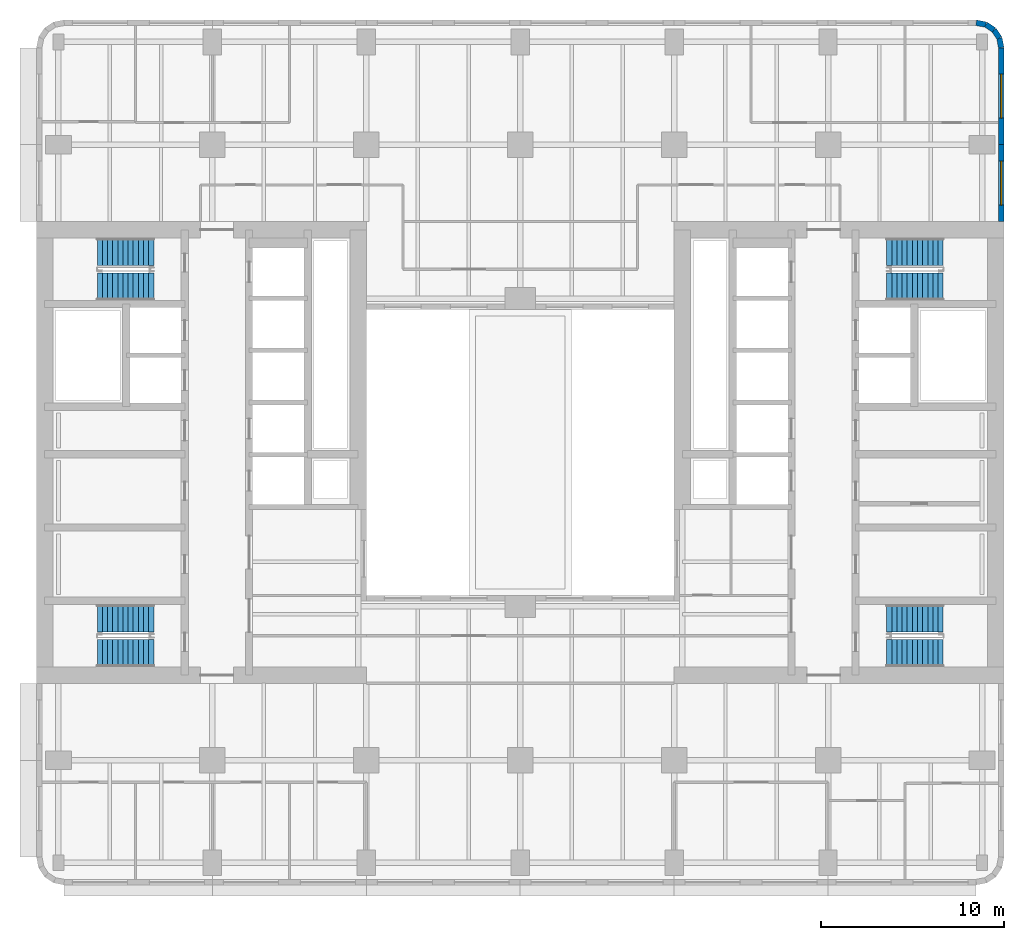
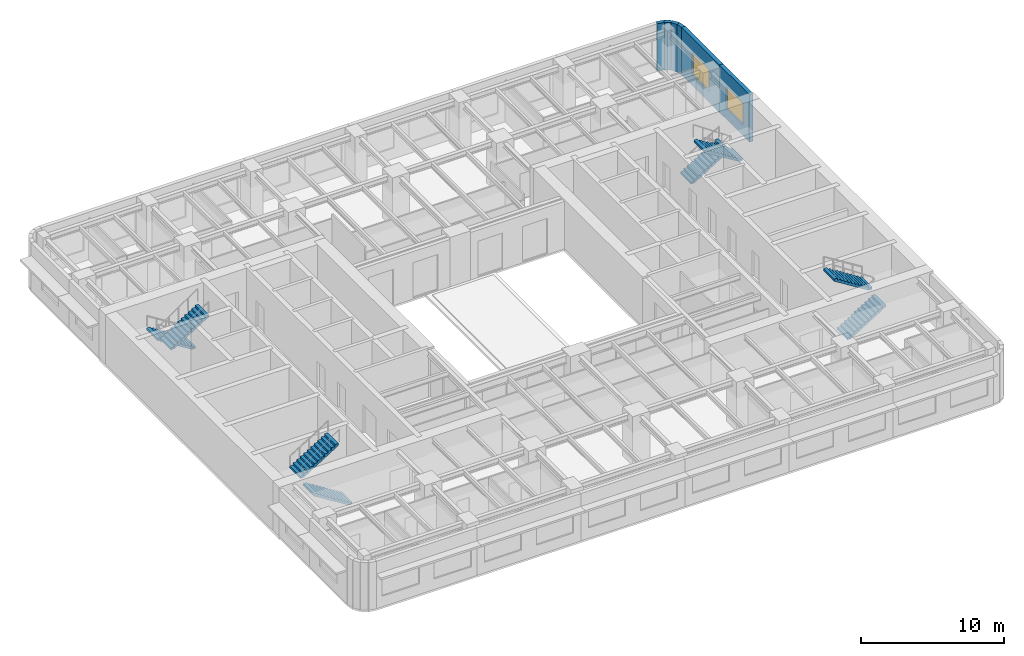
# One storey, part 8 of 14: 8 stair flights, 6 walls, 2 windows, 2 openings, 4 elements without a shape of their own.
"""IFC4 building model written with IfcOpenShell, lengths in metres."""

import ifcopenshell
import ifcopenshell.guid

model = None  # the IFC model being written
_history = None  # IfcOwnerHistory: only IFC2X3 demands one
_inside = {}  # id of a spatial element -> (the spatial element, [elements in it])
_under = {}  # id of a project, library or spatial element -> (it, [spatial elements below it])
_declared = {}  # id of a project -> (the project, [libraries it declares])
_typed = {}  # id of a type object -> (the type object, [elements of that type])
_made_of = {}  # id of a material, layer set ... -> (it, [elements and type objects made of it])


def new_model(schema):
    """Start an empty IFC model of exactly this schema.

    Asked for "IFC4X3", IfcOpenShell would pick the latest addendum, in which some entities
    have other attributes; the version numbers below select the first issue.
    IFC2X3 requires an IfcOwnerHistory on every rooted entity: one is made here for all.
    """
    global model, _history
    if schema == "IFC4X3":
        model = ifcopenshell.file(schema_version=(4, 3, 0, 0))
    else:
        model = ifcopenshell.file(schema=schema)
    _inside.clear()
    _under.clear()
    _declared.clear()
    _typed.clear()
    _made_of.clear()
    _history = None
    if model.schema == "IFC2X3":
        org = make("IfcOrganization", Name="unknown")
        user = make(
            "IfcPersonAndOrganization",
            ThePerson=make("IfcPerson", FamilyName="unknown"),
            TheOrganization=org,
        )
        app = make(
            "IfcApplication",
            ApplicationDeveloper=org,
            Version="unknown",
            ApplicationFullName="unknown",
            ApplicationIdentifier="unknown",
        )
        _history = make(
            "IfcOwnerHistory",
            OwningUser=user,
            OwningApplication=app,
            ChangeAction="ADDED",
            CreationDate=0,
        )
    return model


def make(cls, **values):
    """One entity of the class cls with the attributes given. An attribute that is None is left unset."""
    return model.create_entity(
        cls, **{name: value for name, value in values.items() if value is not None}
    )


def rooted(cls, **values):
    """An entity with a GlobalId (a new one), such as an element, a storey or a relation."""
    return make(cls, GlobalId=ifcopenshell.guid.new(), OwnerHistory=_history, **values)


def si_unit(unit_type, name, prefix=None):
    """IfcSIUnit, for example si_unit("LENGTHUNIT", "METRE", prefix="MILLI")."""
    return make("IfcSIUnit", UnitType=unit_type, Prefix=prefix, Name=name)


def assignment(units):
    """IfcUnitAssignment: the units of a project."""
    return None if units is None else make("IfcUnitAssignment", Units=units)


def point(xyz):
    """IfcCartesianPoint."""
    return None if xyz is None else make("IfcCartesianPoint", Coordinates=xyz)


def direction(xyz):
    """IfcDirection."""
    return None if xyz is None else make("IfcDirection", DirectionRatios=xyz)


def frame(location, z_axis=None, x_axis=None):
    """IfcAxis2Placement3D, a coordinate frame: its origin and axes. An axis left out is left unset."""
    return make(
        "IfcAxis2Placement3D",
        Location=point(location),
        Axis=direction(z_axis),
        RefDirection=direction(x_axis),
    )


def frame_2d(location, x_axis=None):
    """IfcAxis2Placement2D, a coordinate frame in the plane: its origin and x axis."""
    return make(
        "IfcAxis2Placement2D", Location=point(location), RefDirection=direction(x_axis)
    )


def origin():
    """The frame at (0, 0, 0) with its axes left unset."""
    return frame((0.0, 0.0, 0.0))


def place(relative_to, where):
    """IfcLocalPlacement: puts the frame where relative to a parent placement (None: the world)."""
    return make(
        "IfcLocalPlacement", PlacementRelTo=relative_to, RelativePlacement=where
    )


def context(
    kind, dimensions, precision=None, world=None, true_north=None, identifier=None
):
    """IfcGeometricRepresentationContext, for example the 3D "Model" context."""
    return make(
        "IfcGeometricRepresentationContext",
        ContextIdentifier=identifier,
        ContextType=kind,
        CoordinateSpaceDimension=dimensions,
        Precision=precision,
        WorldCoordinateSystem=world,
        TrueNorth=true_north,
    )


def subcontext(parent, identifier, kind, view, scale=None):
    """IfcGeometricRepresentationSubContext, for example "Body" below "Model"."""
    return make(
        "IfcGeometricRepresentationSubContext",
        ContextIdentifier=identifier,
        ContextType=kind,
        ParentContext=parent,
        TargetScale=scale,
        TargetView=view,
    )


def project(units=None, contexts=None):
    """IfcProject with its units and contexts."""
    return rooted(
        "IfcProject",
        Name="project",
        RepresentationContexts=contexts,
        UnitsInContext=assignment(units),
    )


def spatial(cls, under=None, at=None, **own):
    """A site, building, storey or space (cls), placed at a placement, below another one or the project."""
    s = rooted(cls, ObjectPlacement=at, **own)
    if under is not None:
        _under.setdefault(under.id(), (under, []))[1].append(s)
    return s


def polyline(points):
    """IfcPolyline through the points."""
    return make("IfcPolyline", Points=[point(p) for p in points])


def profile(cls, at=None, kind="AREA", **sizes):
    """A parametric profile (cls). Its sizes go by their IFC names, for example OverallWidth=200.0."""
    return make(cls, ProfileType=kind, Position=at, **sizes)


def rectangle(**sizes):
    """IfcRectangleProfileDef."""
    return profile("IfcRectangleProfileDef", **sizes)


def outline(outer, holes=None, kind="AREA"):
    """IfcArbitraryClosedProfileDef: a profile drawn as a closed curve; with holes, ...WithVoids."""
    if holes is None:
        return make("IfcArbitraryClosedProfileDef", ProfileType=kind, OuterCurve=outer)
    return make(
        "IfcArbitraryProfileDefWithVoids",
        ProfileType=kind,
        OuterCurve=outer,
        InnerCurves=holes,
    )


def extrude(swept, where, along, depth):
    """IfcExtrudedAreaSolid: the profile swept, set in the frame where, extruded along a direction by depth."""
    return make(
        "IfcExtrudedAreaSolid",
        SweptArea=swept,
        Position=where,
        ExtrudedDirection=direction(along),
        Depth=depth,
    )


def shape(context_of_items, identifier, shape_type, items):
    """IfcShapeRepresentation: the items that make up one representation, for example the "Body"."""
    return make(
        "IfcShapeRepresentation",
        ContextOfItems=context_of_items,
        RepresentationIdentifier=identifier,
        RepresentationType=shape_type,
        Items=items,
    )


def material(Name=None, Category=None):
    """IfcMaterial."""
    return make("IfcMaterial", Name=Name, Category=Category)


def layer(
    of_material, thickness, ventilated=None, Name=None, Category=None, Priority=None
):
    """IfcMaterialLayer: one layer of a wall or slab, of a material (None: an air gap)."""
    return make(
        "IfcMaterialLayer",
        Material=of_material,
        LayerThickness=thickness,
        IsVentilated=ventilated,
        Name=Name,
        Category=Category,
        Priority=Priority,
    )


def layer_set(layers, Name=None):
    """IfcMaterialLayerSet."""
    return make("IfcMaterialLayerSet", MaterialLayers=layers, LayerSetName=Name)


def made_of(thing, what):
    """Note that an element or type object is made of a material, layer set ...; save() writes the relation."""
    if what is not None:
        _made_of.setdefault(what.id(), (what, []))[1].append(thing)
    return thing


def type_object(cls, material=None, **own):
    """A type object (cls), such as IfcWallType, which elements share."""
    return made_of(rooted(cls, **own), material)


def element(
    cls,
    number,
    at=None,
    inside=None,
    cuts=None,
    type_object=None,
    material=None,
    context=None,
    identifier="Body",
    shape_type=None,
    held_by="IfcProductDefinitionShape",
    body=None,
    shapes=None,
    **own,
):
    """One element of the class cls, such as IfcWall. Its Tag is "e" and its number.

    at: its placement. inside: the storey or other place that contains it. cuts: it is an
    opening in that element (IfcRelVoidsElement). A single representation is given by context,
    identifier, shape_type and body (its items); several are given by shapes. held_by: the class
    of the entity that holds the representations. save() writes the other relations.
    """
    e = rooted(cls, Tag="e%d" % number, ObjectPlacement=at, **own)
    if body is not None:
        shapes = [shape(context, identifier, shape_type, body)]
    if shapes is not None:
        e.Representation = make(held_by, Representations=shapes)
    if inside is not None:
        _inside.setdefault(inside.id(), (inside, []))[1].append(e)
    if cuts is not None:
        rooted(
            "IfcRelVoidsElement", RelatingBuildingElement=cuts, RelatedOpeningElement=e
        )
    if type_object is not None:
        _typed.setdefault(type_object.id(), (type_object, []))[1].append(e)
    return made_of(e, material)


def fill(opening, filler):
    """IfcRelFillsElement: the door or window that sits in an opening."""
    return rooted(
        "IfcRelFillsElement",
        RelatingOpeningElement=opening,
        RelatedBuildingElement=filler,
    )


def aggregate(whole, parts):
    """IfcRelAggregates: a whole, such as a stair, and the parts it consists of."""
    return rooted("IfcRelAggregates", RelatingObject=whole, RelatedObjects=parts)


def save(model, path):
    """Write the relations noted so far, then the file.

    IfcRelAggregates (storeys below a building ...), IfcRelContainedInSpatialStructure (elements
    in a storey), IfcRelDefinesByType, IfcRelAssociatesMaterial and IfcRelDeclares: one each for
    every whole, place, type object, material and project.
    """
    for whole, parts in _under.values():
        aggregate(whole, parts)
    for where, things in _inside.values():
        rooted(
            "IfcRelContainedInSpatialStructure",
            RelatedElements=things,
            RelatingStructure=where,
        )
    for kind, things in _typed.values():
        rooted("IfcRelDefinesByType", RelatedObjects=things, RelatingType=kind)
    for what, things in _made_of.values():
        rooted("IfcRelAssociatesMaterial", RelatedObjects=things, RelatingMaterial=what)
    for by, libraries in _declared.values():
        rooted("IfcRelDeclares", RelatingContext=by, RelatedDefinitions=libraries)
    model.write(path)


model = new_model("IFC4")

# Units and contexts
model_context = context("Model", 3, precision=1e-05, world=origin(), true_north=direction((0.0, 1.0)))
body_context = subcontext(model_context, "Body", "Model", "MODEL_VIEW")
ifc_project = project(units=[si_unit("LENGTHUNIT", "METRE"), si_unit("AREAUNIT", "SQUARE_METRE"), si_unit("VOLUMEUNIT", "CUBIC_METRE"), si_unit("PLANEANGLEUNIT", "RADIAN"), si_unit("MASSUNIT", "GRAM", prefix="KILO")], contexts=[model_context])

# Site, building, storey
site_placement = place(None, origin())
site = spatial("IfcSite", under=ifc_project, at=site_placement, CompositionType="ELEMENT")
building_placement = place(site_placement, origin())
building = spatial("IfcBuilding", under=site, at=building_placement, Name="Claustro Exchange Tower", CompositionType="ELEMENT")
storey_placement = place(building_placement, frame((0.0, 0.0, 100.800048828125)))
storey = spatial("IfcBuildingStorey", under=building, at=storey_placement, Name="L22", CompositionType="ELEMENT", Elevation=100.800048828125)

# Walls
ifc_material_1 = material(Name="Concrete HA-40 (C40/50), precast, white cement, acid-etched", Category="concrete")
ifc_layer = layer(ifc_material_1, 0.300048828125)
ifc_layer_set = layer_set([ifc_layer], Name="Concrete HA-40 (C40/50), precast, white cement, acid-etched")
wall_type = type_object("IfcWallType", Name="PC1 300 precast concrete pier panel", PredefinedType="SOLIDWALL", material=ifc_layer_set)
wall_1_placement = place(storey_placement, frame((50.085205078125, 48.64990234375, 0.0), z_axis=(0.0, 0.0, 1.0), x_axis=(0.980788534345, -0.195073962632, 0.0)))
element("IfcWall", 1, at=wall_1_placement, inside=storey, type_object=wall_type, Name="Precast pier panel PC1 L22", PredefinedType="SOLIDWALL", context=body_context, shape_type="SweptSolid", body=[
    extrude(rectangle(XDim=0.540771484375, YDim=0.300048828125, at=frame_2d((0.2705078125, 0.0))), origin(), (0.0, 0.0, 1.0), 4.050048828125),
])
wall_2_placement = place(storey_placement, frame((50.615478515625, 48.54443359375, 0.0), z_axis=(0.0, 0.0, 1.0), x_axis=(0.831692711774, -0.555236195849, 0.0)))
element("IfcWall", 2, at=wall_2_placement, inside=storey, type_object=wall_type, Name="Precast pier panel PC1 L22", PredefinedType="SOLIDWALL", context=body_context, shape_type="SweptSolid", body=[
    extrude(rectangle(XDim=0.525390625, YDim=0.300048828125, at=frame_2d((0.2626953125, 0.0))), origin(), (0.0, 0.0, 1.0), 4.050048828125),
])
wall_3_placement = place(storey_placement, frame((51.052490234375, 48.252685546875, 0.0), z_axis=(0.0, 0.0, 1.0), x_axis=(0.55534295404, -0.831621430339, 0.0)))
element("IfcWall", 3, at=wall_3_placement, inside=storey, type_object=wall_type, Name="Precast pier panel PC1 L22", PredefinedType="SOLIDWALL", context=body_context, shape_type="SweptSolid", body=[
    extrude(rectangle(XDim=0.52587890625, YDim=0.300048828125, at=frame_2d((0.262939453125, 0.0))), origin(), (0.0, 0.0, 1.0), 4.050048828125),
])
wall_4_placement = place(storey_placement, frame((51.344482421875, 47.8154296875, 0.0), z_axis=(0.0, 0.0, 1.0), x_axis=(0.195073962632, -0.980788534345, 0.0)))
element("IfcWall", 4, at=wall_4_placement, inside=storey, type_object=wall_type, Name="Precast pier panel PC1 L22", PredefinedType="SOLIDWALL", context=body_context, shape_type="SweptSolid", body=[
    extrude(rectangle(XDim=0.540771484375, YDim=0.300048828125, at=frame_2d((0.2705078125, 0.0))), origin(), (0.0, 0.0, 1.0), 4.050048828125),
])

# Wall, opening, window
wall_5_placement = place(storey_placement, frame((51.449951171875, 47.28515625, 0.0), z_axis=(0.0, 0.0, 1.0), x_axis=(0.0, -1.0, 0.0)))
wall_5 = element("IfcWall", 5, at=wall_5_placement, inside=storey, type_object=wall_type, Name="Precast pier panel PC1 L22", PredefinedType="SOLIDWALL", context=body_context, shape_type="SweptSolid", body=[
    extrude(rectangle(XDim=5.28515625, YDim=0.300048828125, at=frame_2d((2.642578125, 0.0))), origin(), (0.0, 0.0, 1.0), 4.050048828125),
])
opening_1_placement = place(wall_5_placement, frame((1.442626953125, 0.0, 0.89990234375)))
opening_1 = element("IfcOpeningElement", 6, at=opening_1_placement, cuts=wall_5, Name="Opening W2", PredefinedType="OPENING", context=body_context, shape_type="SweptSolid", body=[
    extrude(rectangle(XDim=2.39990234375, YDim=1.89990234375, at=frame_2d((1.199951171875, 0.949951171875))), frame((0.0, 0.159912109375, 0.0), z_axis=(0.0, -1.0, 0.0), x_axis=(1.0, 0.0, 0.0)), (0.0, 0.0, 1.0), 0.320068359375),
])
ifc_material_2 = material(Name="Aluminium frame, clear double glazing", Category="aluminium")
window_type = type_object("IfcWindowType", Name="W2 2400 x 1900 window", PartitioningType="SINGLE_PANEL", PredefinedType="WINDOW", material=ifc_material_2)
window_1_placement = place(opening_1_placement, origin())
window_1 = element("IfcWindow", 7, at=window_1_placement, inside=storey, type_object=window_type, Name="Window W2 L22", OverallHeight=1.89990234375, OverallWidth=2.39990234375, PartitioningType="SINGLE_PANEL", PredefinedType="WINDOW", context=body_context, shape_type="SweptSolid", body=[
    extrude(rectangle(XDim=2.39990234375, YDim=1.89990234375, at=frame_2d((1.199951171875, 0.949951171875))), frame((0.0, 0.030029296875, 0.0), z_axis=(0.0, -1.0, 0.0), x_axis=(1.0, 0.0, 0.0)), (0.0, 0.0, 1.0), 0.06005859375),
])
fill(opening_1, window_1)

wall_6_placement = place(storey_placement, frame((51.449951171875, 42.0, 0.0), z_axis=(0.0, 0.0, 1.0), x_axis=(0.0, -1.0, 0.0)))
wall_6 = element("IfcWall", 8, at=wall_6_placement, inside=storey, type_object=wall_type, Name="Precast pier panel PC1 L22", PredefinedType="SOLIDWALL", context=body_context, shape_type="SweptSolid", body=[
    extrude(rectangle(XDim=4.199951171875, YDim=0.300048828125, at=frame_2d((2.10009765625, 0.0))), origin(), (0.0, 0.0, 1.0), 4.050048828125),
])
opening_2_placement = place(wall_6_placement, frame((0.89990234375, 0.0, 0.89990234375)))
opening_2 = element("IfcOpeningElement", 9, at=opening_2_placement, cuts=wall_6, Name="Opening W2", PredefinedType="OPENING", context=body_context, shape_type="SweptSolid", body=[
    extrude(rectangle(XDim=2.39990234375, YDim=1.89990234375, at=frame_2d((1.199951171875, 0.949951171875))), frame((0.0, 0.159912109375, 0.0), z_axis=(0.0, -1.0, 0.0), x_axis=(1.0, 0.0, 0.0)), (0.0, 0.0, 1.0), 0.320068359375),
])
window_2_placement = place(opening_2_placement, origin())
window_2 = element("IfcWindow", 10, at=window_2_placement, inside=storey, type_object=window_type, Name="Window W2 L22", OverallHeight=1.89990234375, OverallWidth=2.39990234375, PartitioningType="SINGLE_PANEL", PredefinedType="WINDOW", context=body_context, shape_type="SweptSolid", body=[
    extrude(rectangle(XDim=2.39990234375, YDim=1.89990234375, at=frame_2d((1.199951171875, 0.949951171875))), frame((0.0, 0.030029296875, 0.0), z_axis=(0.0, -1.0, 0.0), x_axis=(1.0, 0.0, 0.0)), (0.0, 0.0, 1.0), 0.06005859375),
])
fill(opening_2, window_2)

# Stair, stair flights
ifc_material_3 = material(Name="Concrete HA-30 (C30/37), precast", Category="concrete")
stair_type = type_object("IfcStairType", Name="ST1 half-turn stair, 24 risers of 175", PredefinedType="HALF_TURN_STAIR", material=ifc_material_3)
stair_1_placement = place(storey_placement, origin())
stair_1 = element("IfcStair", 11, at=stair_1_placement, inside=storey, type_object=stair_type, Name="Stair STWA L22", PredefinedType="HALF_TURN_STAIR")
ifc_material_4 = material(Name="Concrete HA-30 (C30/37), precast", Category="concrete")
stair_flight_type = type_object("IfcStairFlightType", Name="SF12A straight flight, 12 risers of 175, 1500 wide", PredefinedType="STRAIGHT", material=ifc_material_4)
stair_flight_1_placement = place(storey_placement, frame((5.199951171875, 14.25, 0.0), z_axis=(0.0, 0.0, 1.0), x_axis=(-1.0, 0.0, 0.0)))
stair_flight_1 = element("IfcStairFlight", 12, at=stair_flight_1_placement, type_object=stair_flight_type, Name="STWA flight 1", NumberOfRisers=12, NumberOfTreads=11, PredefinedType="STRAIGHT", RiserHeight=0.175, TreadLength=0.28, context=body_context, shape_type="SweptSolid", body=[
    extrude(outline(polyline([(0.0, 0.0), (0.0, 0.175048828125), (0.280029296875, 0.175048828125), (0.280029296875, 0.35009765625), (0.56005859375, 0.35009765625), (0.56005859375, 0.52490234375), (0.840087890625, 0.52490234375), (0.840087890625, 0.699951171875), (1.1201171875, 0.699951171875), (1.1201171875, 0.875), (1.39990234375, 0.875), (1.39990234375, 1.050048828125), (1.679931640625, 1.050048828125), (1.679931640625, 1.22509765625), (1.9599609375, 1.22509765625), (1.9599609375, 1.39990234375), (2.239990234375, 1.39990234375), (2.239990234375, 1.574951171875), (2.52001953125, 1.574951171875), (2.52001953125, 1.75), (2.800048828125, 1.75), (2.800048828125, 1.925048828125), (3.080078125, 1.925048828125), (3.080078125, 2.10009765625), (3.080078125, 1.748291015625), (0.28271484375, 0.0), (0.0, 0.0)])), frame((0.0, 0.75, 0.0), z_axis=(0.0, -1.0, 0.0), x_axis=(1.0, 0.0, 0.0)), (0.0, 0.0, 1.0), 1.5),
])
stair_flight_2_placement = place(storey_placement, frame((2.1201171875, 16.14990234375, 2.099853515625), z_axis=(0.0, 0.0, 1.0), x_axis=(1.0, 0.0, 0.0)))
stair_flight_2 = element("IfcStairFlight", 13, at=stair_flight_2_placement, type_object=stair_flight_type, Name="STWA flight 2", NumberOfRisers=12, NumberOfTreads=11, PredefinedType="STRAIGHT", RiserHeight=0.175, TreadLength=0.28, context=body_context, shape_type="SweptSolid", body=[
    extrude(outline(polyline([(0.0, 0.0), (0.0, 0.175048828125), (0.280029296875, 0.175048828125), (0.280029296875, 0.35009765625), (0.56005859375, 0.35009765625), (0.56005859375, 0.52490234375), (0.840087890625, 0.52490234375), (0.840087890625, 0.699951171875), (1.1201171875, 0.699951171875), (1.1201171875, 0.875), (1.39990234375, 0.875), (1.39990234375, 1.050048828125), (1.679931640625, 1.050048828125), (1.679931640625, 1.22509765625), (1.9599609375, 1.22509765625), (1.9599609375, 1.39990234375), (2.239990234375, 1.39990234375), (2.239990234375, 1.574951171875), (2.52001953125, 1.574951171875), (2.52001953125, 1.75), (2.800048828125, 1.75), (2.800048828125, 1.925048828125), (3.080078125, 1.925048828125), (3.080078125, 2.10009765625), (3.080078125, 1.748291015625), (0.28271484375, 0.0), (0.0, 0.0)])), frame((0.0, 0.75, 0.0), z_axis=(0.0, -1.0, 0.0), x_axis=(1.0, 0.0, 0.0)), (0.0, 0.0, 1.0), 1.5),
])
aggregate(stair_1, [stair_flight_1, stair_flight_2])

stair_2_placement = place(storey_placement, origin())
stair_2 = element("IfcStair", 14, at=stair_2_placement, inside=storey, type_object=stair_type, Name="Stair STWB L22", PredefinedType="HALF_TURN_STAIR")
stair_flight_3_placement = place(storey_placement, frame((5.199951171875, 36.14990234375, 0.0), z_axis=(0.0, 0.0, 1.0), x_axis=(-1.0, 0.0, 0.0)))
stair_flight_3 = element("IfcStairFlight", 15, at=stair_flight_3_placement, type_object=stair_flight_type, Name="STWB flight 1", NumberOfRisers=12, NumberOfTreads=11, PredefinedType="STRAIGHT", RiserHeight=0.175, TreadLength=0.28, context=body_context, shape_type="SweptSolid", body=[
    extrude(outline(polyline([(0.0, 0.0), (0.0, 0.175048828125), (0.280029296875, 0.175048828125), (0.280029296875, 0.35009765625), (0.56005859375, 0.35009765625), (0.56005859375, 0.52490234375), (0.840087890625, 0.52490234375), (0.840087890625, 0.699951171875), (1.1201171875, 0.699951171875), (1.1201171875, 0.875), (1.39990234375, 0.875), (1.39990234375, 1.050048828125), (1.679931640625, 1.050048828125), (1.679931640625, 1.22509765625), (1.9599609375, 1.22509765625), (1.9599609375, 1.39990234375), (2.239990234375, 1.39990234375), (2.239990234375, 1.574951171875), (2.52001953125, 1.574951171875), (2.52001953125, 1.75), (2.800048828125, 1.75), (2.800048828125, 1.925048828125), (3.080078125, 1.925048828125), (3.080078125, 2.10009765625), (3.080078125, 1.748291015625), (0.28271484375, 0.0), (0.0, 0.0)])), frame((0.0, 0.75, 0.0), z_axis=(0.0, -1.0, 0.0), x_axis=(1.0, 0.0, 0.0)), (0.0, 0.0, 1.0), 1.5),
])
stair_flight_4_placement = place(storey_placement, frame((2.1201171875, 34.25, 2.099853515625), z_axis=(0.0, 0.0, 1.0), x_axis=(1.0, 0.0, 0.0)))
stair_flight_4 = element("IfcStairFlight", 16, at=stair_flight_4_placement, type_object=stair_flight_type, Name="STWB flight 2", NumberOfRisers=12, NumberOfTreads=11, PredefinedType="STRAIGHT", RiserHeight=0.175, TreadLength=0.28, context=body_context, shape_type="SweptSolid", body=[
    extrude(outline(polyline([(0.0, 0.0), (0.0, 0.175048828125), (0.280029296875, 0.175048828125), (0.280029296875, 0.35009765625), (0.56005859375, 0.35009765625), (0.56005859375, 0.52490234375), (0.840087890625, 0.52490234375), (0.840087890625, 0.699951171875), (1.1201171875, 0.699951171875), (1.1201171875, 0.875), (1.39990234375, 0.875), (1.39990234375, 1.050048828125), (1.679931640625, 1.050048828125), (1.679931640625, 1.22509765625), (1.9599609375, 1.22509765625), (1.9599609375, 1.39990234375), (2.239990234375, 1.39990234375), (2.239990234375, 1.574951171875), (2.52001953125, 1.574951171875), (2.52001953125, 1.75), (2.800048828125, 1.75), (2.800048828125, 1.925048828125), (3.080078125, 1.925048828125), (3.080078125, 2.10009765625), (3.080078125, 1.748291015625), (0.28271484375, 0.0), (0.0, 0.0)])), frame((0.0, 0.75, 0.0), z_axis=(0.0, -1.0, 0.0), x_axis=(1.0, 0.0, 0.0)), (0.0, 0.0, 1.0), 1.5),
])
aggregate(stair_2, [stair_flight_3, stair_flight_4])

stair_3_placement = place(storey_placement, origin())
stair_3 = element("IfcStair", 17, at=stair_3_placement, inside=storey, type_object=stair_type, Name="Stair STEA L22", PredefinedType="HALF_TURN_STAIR")
stair_flight_5_placement = place(storey_placement, frame((45.199951171875, 14.25, 0.0), z_axis=(0.0, 0.0, 1.0), x_axis=(1.0, 0.0, 0.0)))
stair_flight_5 = element("IfcStairFlight", 18, at=stair_flight_5_placement, type_object=stair_flight_type, Name="STEA flight 1", NumberOfRisers=12, NumberOfTreads=11, PredefinedType="STRAIGHT", RiserHeight=0.175, TreadLength=0.28, context=body_context, shape_type="SweptSolid", body=[
    extrude(outline(polyline([(0.0, 0.0), (0.0, 0.175048828125), (0.280029296875, 0.175048828125), (0.280029296875, 0.35009765625), (0.56005859375, 0.35009765625), (0.56005859375, 0.52490234375), (0.840087890625, 0.52490234375), (0.840087890625, 0.699951171875), (1.1201171875, 0.699951171875), (1.1201171875, 0.875), (1.39990234375, 0.875), (1.39990234375, 1.050048828125), (1.679931640625, 1.050048828125), (1.679931640625, 1.22509765625), (1.9599609375, 1.22509765625), (1.9599609375, 1.39990234375), (2.239990234375, 1.39990234375), (2.239990234375, 1.574951171875), (2.52001953125, 1.574951171875), (2.52001953125, 1.75), (2.800048828125, 1.75), (2.800048828125, 1.925048828125), (3.080078125, 1.925048828125), (3.080078125, 2.10009765625), (3.080078125, 1.748291015625), (0.28271484375, 0.0), (0.0, 0.0)])), frame((0.0, 0.75, 0.0), z_axis=(0.0, -1.0, 0.0), x_axis=(1.0, 0.0, 0.0)), (0.0, 0.0, 1.0), 1.5),
])
stair_flight_6_placement = place(storey_placement, frame((48.280029296875, 16.14990234375, 2.099853515625), z_axis=(0.0, 0.0, 1.0), x_axis=(-1.0, 0.0, 0.0)))
stair_flight_6 = element("IfcStairFlight", 19, at=stair_flight_6_placement, type_object=stair_flight_type, Name="STEA flight 2", NumberOfRisers=12, NumberOfTreads=11, PredefinedType="STRAIGHT", RiserHeight=0.175, TreadLength=0.28, context=body_context, shape_type="SweptSolid", body=[
    extrude(outline(polyline([(0.0, 0.0), (0.0, 0.175048828125), (0.280029296875, 0.175048828125), (0.280029296875, 0.35009765625), (0.56005859375, 0.35009765625), (0.56005859375, 0.52490234375), (0.840087890625, 0.52490234375), (0.840087890625, 0.699951171875), (1.1201171875, 0.699951171875), (1.1201171875, 0.875), (1.39990234375, 0.875), (1.39990234375, 1.050048828125), (1.679931640625, 1.050048828125), (1.679931640625, 1.22509765625), (1.9599609375, 1.22509765625), (1.9599609375, 1.39990234375), (2.239990234375, 1.39990234375), (2.239990234375, 1.574951171875), (2.52001953125, 1.574951171875), (2.52001953125, 1.75), (2.800048828125, 1.75), (2.800048828125, 1.925048828125), (3.080078125, 1.925048828125), (3.080078125, 2.10009765625), (3.080078125, 1.748291015625), (0.28271484375, 0.0), (0.0, 0.0)])), frame((0.0, 0.75, 0.0), z_axis=(0.0, -1.0, 0.0), x_axis=(1.0, 0.0, 0.0)), (0.0, 0.0, 1.0), 1.5),
])
aggregate(stair_3, [stair_flight_5, stair_flight_6])

stair_4_placement = place(storey_placement, origin())
stair_4 = element("IfcStair", 20, at=stair_4_placement, inside=storey, type_object=stair_type, Name="Stair STEB L22", PredefinedType="HALF_TURN_STAIR")
stair_flight_7_placement = place(storey_placement, frame((45.199951171875, 36.14990234375, 0.0), z_axis=(0.0, 0.0, 1.0), x_axis=(1.0, 0.0, 0.0)))
stair_flight_7 = element("IfcStairFlight", 21, at=stair_flight_7_placement, type_object=stair_flight_type, Name="STEB flight 1", NumberOfRisers=12, NumberOfTreads=11, PredefinedType="STRAIGHT", RiserHeight=0.175, TreadLength=0.28, context=body_context, shape_type="SweptSolid", body=[
    extrude(outline(polyline([(0.0, 0.0), (0.0, 0.175048828125), (0.280029296875, 0.175048828125), (0.280029296875, 0.35009765625), (0.56005859375, 0.35009765625), (0.56005859375, 0.52490234375), (0.840087890625, 0.52490234375), (0.840087890625, 0.699951171875), (1.1201171875, 0.699951171875), (1.1201171875, 0.875), (1.39990234375, 0.875), (1.39990234375, 1.050048828125), (1.679931640625, 1.050048828125), (1.679931640625, 1.22509765625), (1.9599609375, 1.22509765625), (1.9599609375, 1.39990234375), (2.239990234375, 1.39990234375), (2.239990234375, 1.574951171875), (2.52001953125, 1.574951171875), (2.52001953125, 1.75), (2.800048828125, 1.75), (2.800048828125, 1.925048828125), (3.080078125, 1.925048828125), (3.080078125, 2.10009765625), (3.080078125, 1.748291015625), (0.28271484375, 0.0), (0.0, 0.0)])), frame((0.0, 0.75, 0.0), z_axis=(0.0, -1.0, 0.0), x_axis=(1.0, 0.0, 0.0)), (0.0, 0.0, 1.0), 1.5),
])
stair_flight_8_placement = place(storey_placement, frame((48.280029296875, 34.25, 2.099853515625), z_axis=(0.0, 0.0, 1.0), x_axis=(-1.0, 0.0, 0.0)))
stair_flight_8 = element("IfcStairFlight", 22, at=stair_flight_8_placement, type_object=stair_flight_type, Name="STEB flight 2", NumberOfRisers=12, NumberOfTreads=11, PredefinedType="STRAIGHT", RiserHeight=0.175, TreadLength=0.28, context=body_context, shape_type="SweptSolid", body=[
    extrude(outline(polyline([(0.0, 0.0), (0.0, 0.175048828125), (0.280029296875, 0.175048828125), (0.280029296875, 0.35009765625), (0.56005859375, 0.35009765625), (0.56005859375, 0.52490234375), (0.840087890625, 0.52490234375), (0.840087890625, 0.699951171875), (1.1201171875, 0.699951171875), (1.1201171875, 0.875), (1.39990234375, 0.875), (1.39990234375, 1.050048828125), (1.679931640625, 1.050048828125), (1.679931640625, 1.22509765625), (1.9599609375, 1.22509765625), (1.9599609375, 1.39990234375), (2.239990234375, 1.39990234375), (2.239990234375, 1.574951171875), (2.52001953125, 1.574951171875), (2.52001953125, 1.75), (2.800048828125, 1.75), (2.800048828125, 1.925048828125), (3.080078125, 1.925048828125), (3.080078125, 2.10009765625), (3.080078125, 1.748291015625), (0.28271484375, 0.0), (0.0, 0.0)])), frame((0.0, 0.75, 0.0), z_axis=(0.0, -1.0, 0.0), x_axis=(1.0, 0.0, 0.0)), (0.0, 0.0, 1.0), 1.5),
])
aggregate(stair_4, [stair_flight_7, stair_flight_8])

save(model, "model.ifc")
